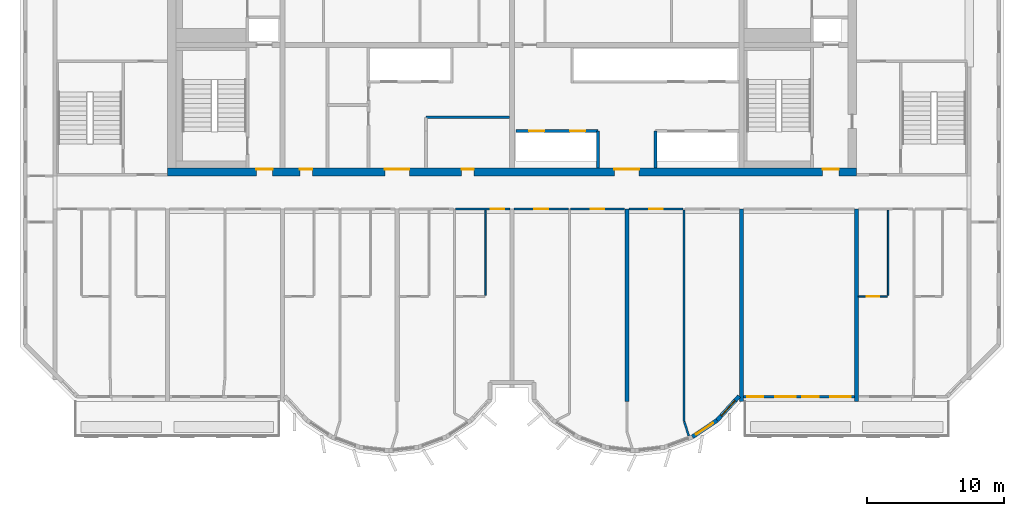
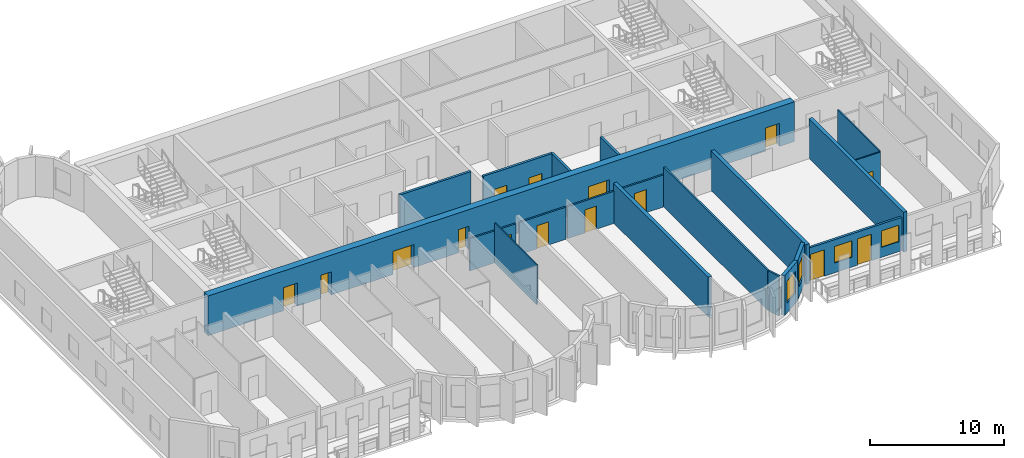
# One storey, part 5 of 12: 20 walls, 15 doors, 4 windows, 19 openings.
"""IFC4 building model written with IfcOpenShell, lengths in metres."""

from ifc_helpers import new_model, si_unit, direction, frame, frame_2d, origin, place, context, subcontext, project, spatial, rectangle, extrude, source, transform, mapped, material, layer, layer_set, type_object, element, fill, save


model = new_model("IFC4")

# Units and contexts
model_context = context("Model", 3, precision=1e-05, world=origin(), true_north=direction((0.0, 1.0)))
body_context = subcontext(model_context, "Body", "Model", "MODEL_VIEW")
ifc_project = project(units=[si_unit("LENGTHUNIT", "METRE"), si_unit("AREAUNIT", "SQUARE_METRE"), si_unit("VOLUMEUNIT", "CUBIC_METRE"), si_unit("PLANEANGLEUNIT", "RADIAN"), si_unit("MASSUNIT", "GRAM", prefix="KILO")], contexts=[model_context])

# Site, building, storey
site_placement = place(None, origin())
site = spatial("IfcSite", under=ifc_project, at=site_placement, CompositionType="ELEMENT")
building_placement = place(site_placement, origin())
building = spatial("IfcBuilding", under=site, at=building_placement, Name="Vanashikhar Sky Hotel", CompositionType="ELEMENT")
storey_placement = place(building_placement, frame((0.0, 0.0, 237.39990234375)))
storey = spatial("IfcBuildingStorey", under=building, at=storey_placement, Name="L57", CompositionType="ELEMENT", Elevation=237.39990234375)

# Wall, openings, doors
ifc_material_1 = material(Name="Concrete M60", Category="concrete")
ifc_layer_1 = layer(ifc_material_1, 0.60009765625)
ifc_layer_set_1 = layer_set([ifc_layer_1], Name="RC core shell wall 600 Concrete M60")
wall_type_1 = type_object("IfcWallType", Name="RC core shell wall 600 Concrete M60", PredefinedType="SHEAR", material=ifc_layer_set_1)
shared_shape_1 = source(origin(), body_context, "Body", "SweptSolid", [
    extrude(rectangle(XDim=50.400146484375, YDim=0.60009765625, at=frame_2d((25.2001953125, 0.0))), origin(), (0.0, 0.0, 1.0), 3.6201171875),
])
wall_1_placement = place(storey_placement, frame((25.199951171875, 22.300048828125, 0.0), z_axis=(0.0, 0.0, 1.0), x_axis=(1.0, 0.0, 0.0)))
wall_1 = element("IfcWall", 1, at=wall_1_placement, inside=storey, type_object=wall_type_1, Name="KW-L57-KS", PredefinedType="SHEAR", context=body_context, shape_type="MappedRepresentation", body=[
    mapped(shared_shape_1, transform((0.0, 0.0, 0.0), scale=1.0)),
])
shared_shape_2 = source(origin(), body_context, "Body", "SweptSolid", [
    extrude(rectangle(XDim=1.800048828125, YDim=2.10009765625, at=frame_2d((0.89990234375, 1.050048828125))), frame((0.0, 0.31005859375, 0.0), z_axis=(0.0, -1.0, 0.0), x_axis=(1.0, 0.0, 0.0)), (0.0, 0.0, 1.0), 0.6201171875),
])
opening_1_placement = place(wall_1_placement, frame((15.89990234375, 0.0, 0.0)))
opening_1 = element("IfcOpeningElement", 2, at=opening_1_placement, cuts=wall_1, Name="Opening DC-3-A", PredefinedType="OPENING", context=body_context, shape_type="MappedRepresentation", body=[
    mapped(shared_shape_2, transform((0.0, 0.0, 0.0), scale=1.0)),
])
shared_shape_3 = source(origin(), body_context, "Body", "SweptSolid", [
    extrude(rectangle(XDim=0.89990234375, YDim=2.10009765625, at=frame_2d((0.449951171875, 1.050048828125))), frame((0.0, 0.31005859375, 0.0), z_axis=(0.0, -1.0, 0.0), x_axis=(1.0, 0.0, 0.0)), (0.0, 0.0, 1.0), 0.6201171875),
])
opening_2_placement = place(wall_1_placement, frame((9.68701171875, 0.0, 0.0)))
opening_2 = element("IfcOpeningElement", 3, at=opening_2_placement, cuts=wall_1, Name="Opening DC-4-A", PredefinedType="OPENING", context=body_context, shape_type="MappedRepresentation", body=[
    mapped(shared_shape_3, transform((0.0, 0.0, 0.0), scale=1.0)),
])
opening_3_placement = place(wall_1_placement, frame((21.512939453125, 0.0, 0.0)))
opening_3 = element("IfcOpeningElement", 4, at=opening_3_placement, cuts=wall_1, Name="Opening DC-4-A", PredefinedType="OPENING", context=body_context, shape_type="MappedRepresentation", body=[
    mapped(shared_shape_3, transform((0.0, 0.0, 0.0), scale=1.0)),
])
opening_4_placement = place(wall_1_placement, frame((32.699951171875, 0.0, 0.0)))
opening_4 = element("IfcOpeningElement", 5, at=opening_4_placement, cuts=wall_1, Name="Opening DC-3-A", PredefinedType="OPENING", context=body_context, shape_type="MappedRepresentation", body=[
    mapped(shared_shape_2, transform((0.0, 0.0, 0.0), scale=1.0)),
])
shared_shape_4 = source(origin(), body_context, "Body", "SweptSolid", [
    extrude(rectangle(XDim=1.199951171875, YDim=2.10009765625, at=frame_2d((0.60009765625, 1.050048828125))), frame((0.0, 0.31005859375, 0.0), z_axis=(0.0, -1.0, 0.0), x_axis=(1.0, 0.0, 0.0)), (0.0, 0.0, 1.0), 0.6201171875),
])
opening_5_placement = place(wall_1_placement, frame((6.488037109375, 0.0, 0.0)))
opening_5 = element("IfcOpeningElement", 6, at=opening_5_placement, cuts=wall_1, Name="Opening DC-2", PredefinedType="OPENING", context=body_context, shape_type="MappedRepresentation", body=[
    mapped(shared_shape_4, transform((0.0, 0.0, 0.0), scale=1.0)),
])
opening_6_placement = place(wall_1_placement, frame((47.925048828125, 0.0, 0.0)))
opening_6 = element("IfcOpeningElement", 7, at=opening_6_placement, cuts=wall_1, Name="Opening DC-2", PredefinedType="OPENING", context=body_context, shape_type="MappedRepresentation", body=[
    mapped(shared_shape_4, transform((0.0, 0.0, 0.0), scale=1.0)),
])
ifc_material_2 = material(Name="Steel", Category="steel")
door_type_1 = type_object("IfcDoorType", Name="Firefighting lobby door 1200 FD120", OperationType="NOTDEFINED", PredefinedType="DOOR", material=ifc_material_2)
shared_shape_5 = source(origin(), body_context, "Body", "SweptSolid", [
    extrude(rectangle(XDim=1.199951171875, YDim=2.10009765625, at=frame_2d((0.60009765625, 1.050048828125))), frame((0.0, 0.22509765625, 0.0), z_axis=(0.0, -1.0, 0.0), x_axis=(1.0, 0.0, 0.0)), (0.0, 0.0, 1.0), 0.050048828125),
])
door_1_placement = place(opening_5_placement, origin())
door_1 = element("IfcDoor", 8, at=door_1_placement, inside=storey, type_object=door_type_1, Name="Firefighting lobby door 1200 FD120", OperationType="SINGLE_SWING_RIGHT", OverallHeight=2.10009765625, OverallWidth=1.199951171875, PredefinedType="DOOR", context=body_context, shape_type="MappedRepresentation", body=[
    mapped(shared_shape_5, transform((0.0, 0.0, 0.0), scale=1.0)),
])
fill(opening_5, door_1)
door_2_placement = place(opening_6_placement, origin())
door_2 = element("IfcDoor", 9, at=door_2_placement, inside=storey, type_object=door_type_1, Name="Firefighting lobby door 1200 FD120", OperationType="SINGLE_SWING_RIGHT", OverallHeight=2.10009765625, OverallWidth=1.199951171875, PredefinedType="DOOR", context=body_context, shape_type="MappedRepresentation", body=[
    mapped(shared_shape_5, transform((0.0, 0.0, 0.0), scale=1.0)),
])
fill(opening_6, door_2)
door_type_2 = type_object("IfcDoorType", Name="Service door 900 FD60", OperationType="NOTDEFINED", PredefinedType="DOOR", material=ifc_material_2)
shared_shape_6 = source(origin(), body_context, "Body", "SweptSolid", [
    extrude(rectangle(XDim=0.89990234375, YDim=2.10009765625, at=frame_2d((0.449951171875, 1.050048828125))), frame((0.0, 0.22509765625, 0.0), z_axis=(0.0, -1.0, 0.0), x_axis=(1.0, 0.0, 0.0)), (0.0, 0.0, 1.0), 0.050048828125),
])
door_3_placement = place(opening_2_placement, origin())
door_3 = element("IfcDoor", 10, at=door_3_placement, inside=storey, type_object=door_type_2, Name="Service door 900 FD60", OperationType="SINGLE_SWING_RIGHT", OverallHeight=2.10009765625, OverallWidth=0.89990234375, PredefinedType="DOOR", context=body_context, shape_type="MappedRepresentation", body=[
    mapped(shared_shape_6, transform((0.0, 0.0, 0.0), scale=1.0)),
])
fill(opening_2, door_3)
door_4_placement = place(opening_3_placement, origin())
door_4 = element("IfcDoor", 11, at=door_4_placement, inside=storey, type_object=door_type_2, Name="Service door 900 FD60", OperationType="SINGLE_SWING_RIGHT", OverallHeight=2.10009765625, OverallWidth=0.89990234375, PredefinedType="DOOR", context=body_context, shape_type="MappedRepresentation", body=[
    mapped(shared_shape_6, transform((0.0, 0.0, 0.0), scale=1.0)),
])
fill(opening_3, door_4)
ifc_material_3 = material(Name="Glass", Category="glass")
door_type_3 = type_object("IfcDoorType", Name="Lift lobby entrance door 1800 FD30S", OperationType="NOTDEFINED", PredefinedType="DOOR", material=ifc_material_3)
shared_shape_7 = source(origin(), body_context, "Body", "SweptSolid", [
    extrude(rectangle(XDim=1.800048828125, YDim=2.10009765625, at=frame_2d((0.89990234375, 1.050048828125))), frame((0.0, 0.22509765625, 0.0), z_axis=(0.0, -1.0, 0.0), x_axis=(1.0, 0.0, 0.0)), (0.0, 0.0, 1.0), 0.050048828125),
])
door_5_placement = place(opening_1_placement, origin())
door_5 = element("IfcDoor", 12, at=door_5_placement, inside=storey, type_object=door_type_3, Name="Lift lobby entrance door 1800 FD30S", OperationType="DOUBLE_DOOR_SINGLE_SWING", OverallHeight=2.10009765625, OverallWidth=1.800048828125, PredefinedType="DOOR", context=body_context, shape_type="MappedRepresentation", body=[
    mapped(shared_shape_7, transform((0.0, 0.0, 0.0), scale=1.0)),
])
fill(opening_1, door_5)
door_6_placement = place(opening_4_placement, origin())
door_6 = element("IfcDoor", 13, at=door_6_placement, inside=storey, type_object=door_type_3, Name="Lift lobby entrance door 1800 FD30S", OperationType="DOUBLE_DOOR_SINGLE_SWING", OverallHeight=2.10009765625, OverallWidth=1.800048828125, PredefinedType="DOOR", context=body_context, shape_type="MappedRepresentation", body=[
    mapped(shared_shape_7, transform((0.0, 0.0, 0.0), scale=1.0)),
])
fill(opening_4, door_6)

# Walls
ifc_layer_2 = layer(ifc_material_1, 0.300048828125)
ifc_layer_set_2 = layer_set([ifc_layer_2], Name="RC shear wall 300 Concrete M60")
wall_type_2 = type_object("IfcWallType", Name="RC shear wall 300 Concrete M60", PredefinedType="SHEAR", material=ifc_layer_set_2)
shared_shape_8 = source(origin(), body_context, "Body", "SweptSolid", [
    extrude(rectangle(XDim=14.10009765625, YDim=0.300048828125, at=frame_2d((7.050048828125, 0.0))), origin(), (0.0, 0.0, 1.0), 3.6201171875),
])
for number, where, z_axis, x_axis, name in (
    (14, (58.800048828125, 5.5, 0.0), (0.0, 0.0, 1.0), (0.0, 1.0, 0.0), "CW-L57-XW08-1"),
    (15, (67.199951171875, 5.5, 0.0), (0.0, 0.0, 1.0), (0.0, 1.0, 0.0), "CW-L57-XW09-1"),
    (16, (75.60009765625, 5.5, 0.0), (0.0, 0.0, 1.0), (0.0, 1.0, 0.0), "CW-L57-XW10-1"),
):
    element("IfcWall", number, at=place(storey_placement, frame(where, z_axis=z_axis, x_axis=x_axis)), inside=storey, type_object=wall_type_2, Name=name, PredefinedType="SHEAR", context=body_context, shape_type="MappedRepresentation", body=[
        mapped(shared_shape_8, transform((0.0, 0.0, 0.0), scale=1.0)),
    ])

# Wall, openings, windows, doors
ifc_material_4 = material(Name="Concrete M50", Category="concrete")
ifc_layer_3 = layer(ifc_material_4, 0.199951171875)
ifc_layer_set_3 = layer_set([ifc_layer_3], Name="Front window wall 200")
wall_type_3 = type_object("IfcWallType", Name="Front window wall 200", PredefinedType="SOLIDWALL", material=ifc_layer_set_3)
shared_shape_9 = source(origin(), body_context, "Body", "SweptSolid", [
    extrude(rectangle(XDim=8.099853515625, YDim=0.199951171875, at=frame_2d((4.0498046875, 0.0))), origin(), (0.0, 0.0, 1.0), 3.02001953125),
])
wall_2_placement = place(storey_placement, frame((67.35009765625, 5.85009765625, 0.0), z_axis=(0.0, 0.0, 1.0), x_axis=(1.0, 0.0, 0.0)))
wall_2 = element("IfcWall", 17, at=wall_2_placement, inside=storey, type_object=wall_type_3, Name="Front window wall", PredefinedType="SOLIDWALL", context=body_context, shape_type="MappedRepresentation", body=[
    mapped(shared_shape_9, transform((0.0, 0.0, 0.0), scale=1.0)),
])
shared_shape_10 = source(origin(), body_context, "Body", "SweptSolid", [
    extrude(rectangle(XDim=1.199951171875, YDim=2.39990234375, at=frame_2d((0.60009765625, 1.199951171875))), frame((0.0, 0.10986328125, 0.0), z_axis=(0.0, -1.0, 0.0), x_axis=(1.0, 0.0, 0.0)), (0.0, 0.0, 1.0), 0.219970703125),
])
opening_7_placement = place(wall_2_placement, frame((0.25, 0.0, 0.0)))
opening_7 = element("IfcOpeningElement", 18, at=opening_7_placement, cuts=wall_2, Name="Opening BD-03", PredefinedType="OPENING", context=body_context, shape_type="MappedRepresentation", body=[
    mapped(shared_shape_10, transform((0.0, 0.0, 0.0), scale=1.0)),
])
shared_shape_11 = source(origin(), body_context, "Body", "SweptSolid", [
    extrude(rectangle(XDim=1.5, YDim=1.5, at=frame_2d((0.75, 0.75))), frame((0.0, 0.10986328125, 0.0), z_axis=(0.0, -1.0, 0.0), x_axis=(1.0, 0.0, 0.0)), (0.0, 0.0, 1.0), 0.219970703125),
])
opening_8_placement = place(wall_2_placement, frame((2.300048828125, 0.0, 0.89990234375)))
opening_8 = element("IfcOpeningElement", 19, at=opening_8_placement, cuts=wall_2, Name="Opening WN-1", PredefinedType="OPENING", context=body_context, shape_type="MappedRepresentation", body=[
    mapped(shared_shape_11, transform((0.0, 0.0, 0.0), scale=1.0)),
])
opening_9_placement = place(wall_2_placement, frame((4.300048828125, 0.0, 0.0)))
opening_9 = element("IfcOpeningElement", 20, at=opening_9_placement, cuts=wall_2, Name="Opening BD-04", PredefinedType="OPENING", context=body_context, shape_type="MappedRepresentation", body=[
    mapped(shared_shape_10, transform((0.0, 0.0, 0.0), scale=1.0)),
])
opening_10_placement = place(wall_2_placement, frame((6.35009765625, 0.0, 0.89990234375)))
opening_10 = element("IfcOpeningElement", 21, at=opening_10_placement, cuts=wall_2, Name="Opening WN-1", PredefinedType="OPENING", context=body_context, shape_type="MappedRepresentation", body=[
    mapped(shared_shape_11, transform((0.0, 0.0, 0.0), scale=1.0)),
])
window_type_1 = type_object("IfcWindowType", Name="Window 1500 x 1500", PartitioningType="SINGLE_PANEL", PredefinedType="WINDOW", material=ifc_material_3)
shared_shape_12 = source(origin(), body_context, "Body", "SweptSolid", [
    extrude(rectangle(XDim=1.5, YDim=1.5, at=frame_2d((0.75, 0.75))), frame((0.0, 0.030029296875, 0.0), z_axis=(0.0, -1.0, 0.0), x_axis=(1.0, 0.0, 0.0)), (0.0, 0.0, 1.0), 0.06005859375),
])
window_1_placement = place(opening_8_placement, origin())
window_1 = element("IfcWindow", 22, at=window_1_placement, inside=storey, type_object=window_type_1, Name="Window WN-1", OverallHeight=1.5, OverallWidth=1.5, PartitioningType="SINGLE_PANEL", PredefinedType="WINDOW", context=body_context, shape_type="MappedRepresentation", body=[
    mapped(shared_shape_12, transform((0.0, 0.0, 0.0), scale=1.0)),
])
fill(opening_8, window_1)
window_2_placement = place(opening_10_placement, origin())
window_2 = element("IfcWindow", 23, at=window_2_placement, inside=storey, type_object=window_type_1, Name="Window WN-1", OverallHeight=1.5, OverallWidth=1.5, PartitioningType="SINGLE_PANEL", PredefinedType="WINDOW", context=body_context, shape_type="MappedRepresentation", body=[
    mapped(shared_shape_12, transform((0.0, 0.0, 0.0), scale=1.0)),
])
fill(opening_10, window_2)
ifc_material_5 = material(Name="Aluminium", Category="aluminium")
door_type_4 = type_object("IfcDoorType", Name="Balcony sliding door 1200 x 2400", OperationType="NOTDEFINED", PredefinedType="DOOR", material=ifc_material_5)
shared_shape_13 = source(origin(), body_context, "Body", "SweptSolid", [
    extrude(rectangle(XDim=1.199951171875, YDim=2.39990234375, at=frame_2d((0.60009765625, 1.199951171875))), frame((0.0, 0.02490234375, 0.0), z_axis=(0.0, -1.0, 0.0), x_axis=(1.0, 0.0, 0.0)), (0.0, 0.0, 1.0), 0.050048828125),
])
door_7_placement = place(opening_7_placement, origin())
door_7 = element("IfcDoor", 24, at=door_7_placement, inside=storey, type_object=door_type_4, Name="Balcony sliding door", OperationType="SLIDING_TO_LEFT", OverallHeight=2.39990234375, OverallWidth=1.199951171875, PredefinedType="DOOR", context=body_context, shape_type="MappedRepresentation", body=[
    mapped(shared_shape_13, transform((0.0, 0.0, 0.0), scale=1.0)),
])
fill(opening_7, door_7)
door_8_placement = place(opening_9_placement, origin())
door_8 = element("IfcDoor", 25, at=door_8_placement, inside=storey, type_object=door_type_4, Name="Balcony sliding door", OperationType="SLIDING_TO_RIGHT", OverallHeight=2.39990234375, OverallWidth=1.199951171875, PredefinedType="DOOR", context=body_context, shape_type="MappedRepresentation", body=[
    mapped(shared_shape_13, transform((0.0, 0.0, 0.0), scale=1.0)),
])
fill(opening_9, door_8)

# Wall, opening, window
ifc_layer_4 = layer(ifc_material_4, 0.300048828125)
ifc_layer_set_4 = layer_set([ifc_layer_4], Name="Lobe wall 300")
wall_type_4 = type_object("IfcWallType", Name="Lobe wall 300", PredefinedType="SOLIDWALL", material=ifc_layer_set_4)
shared_shape_14 = source(origin(), body_context, "Body", "SweptSolid", [
    extrude(rectangle(XDim=2.398193359375, YDim=0.300048828125, at=frame_2d((1.19921875, 0.0))), origin(), (0.0, 0.0, 1.0), 3.6201171875),
])
wall_3_placement = place(storey_placement, frame((65.404296875, 4.13134765625, 0.0), z_axis=(0.0, 0.0, 1.0), x_axis=(0.675374189419, 0.737475222815, 0.0)))
wall_3 = element("IfcWall", 26, at=wall_3_placement, inside=storey, type_object=wall_type_4, Name="Lobe wall", PredefinedType="SOLIDWALL", context=body_context, shape_type="MappedRepresentation", body=[
    mapped(shared_shape_14, transform((0.0, 0.0, 0.0), scale=1.0)),
])
shared_shape_15 = source(origin(), body_context, "Body", "SweptSolid", [
    extrude(rectangle(XDim=1.5, YDim=2.0, at=frame_2d((0.75, 1.0))), frame((0.0, 0.16015625, 0.0), z_axis=(0.0, -1.0, 0.0), x_axis=(1.0, 0.0, 0.0)), (0.0, 0.0, 1.0), 0.320068359375),
])
opening_11_placement = place(wall_3_placement, frame((0.44921875, 0.0, 0.89990234375)))
opening_11 = element("IfcOpeningElement", 27, at=opening_11_placement, cuts=wall_3, Name="Opening WN-2", PredefinedType="OPENING", context=body_context, shape_type="MappedRepresentation", body=[
    mapped(shared_shape_15, transform((0.0, 0.0, 0.0), scale=1.0)),
])
window_type_2 = type_object("IfcWindowType", Name="Lobe window 1500 x 2000", PartitioningType="SINGLE_PANEL", PredefinedType="WINDOW", material=ifc_material_3)
shared_shape_16 = source(origin(), body_context, "Body", "SweptSolid", [
    extrude(rectangle(XDim=1.5, YDim=2.0, at=frame_2d((0.75, 1.0))), frame((0.0, 0.030029296875, 0.0), z_axis=(0.0, -1.0, 0.0), x_axis=(1.0, 0.0, 0.0)), (0.0, 0.0, 1.0), 0.06005859375),
])
window_3_placement = place(opening_11_placement, origin())
window_3 = element("IfcWindow", 28, at=window_3_placement, inside=storey, type_object=window_type_2, Name="Window WN-2", OverallHeight=2.0, OverallWidth=1.5, PartitioningType="SINGLE_PANEL", PredefinedType="WINDOW", context=body_context, shape_type="MappedRepresentation", body=[
    mapped(shared_shape_16, transform((0.0, 0.0, 0.0), scale=1.0)),
])
fill(opening_11, window_3)

shared_shape_17 = source(origin(), body_context, "Body", "SweptSolid", [
    extrude(rectangle(XDim=2.17578125, YDim=0.300048828125, at=frame_2d((1.087890625, 0.0))), origin(), (0.0, 0.0, 1.0), 3.6201171875),
])
wall_4_placement = place(storey_placement, frame((63.59912109375, 2.91650390625, 0.0), z_axis=(0.0, 0.0, 1.0), x_axis=(0.829625727223, 0.558319937607, 0.0)))
wall_4 = element("IfcWall", 29, at=wall_4_placement, inside=storey, type_object=wall_type_4, Name="Lobe wall", PredefinedType="SOLIDWALL", context=body_context, shape_type="MappedRepresentation", body=[
    mapped(shared_shape_17, transform((0.0, 0.0, 0.0), scale=1.0)),
])
opening_12_placement = place(wall_4_placement, frame((0.337890625, 0.0, 0.89990234375)))
opening_12 = element("IfcOpeningElement", 30, at=opening_12_placement, cuts=wall_4, Name="Opening WN-2", PredefinedType="OPENING", context=body_context, shape_type="MappedRepresentation", body=[
    mapped(shared_shape_15, transform((0.0, 0.0, 0.0), scale=1.0)),
])
window_4_placement = place(opening_12_placement, origin())
window_4 = element("IfcWindow", 31, at=window_4_placement, inside=storey, type_object=window_type_2, Name="Window WN-2", OverallHeight=2.0, OverallWidth=1.5, PartitioningType="SINGLE_PANEL", PredefinedType="WINDOW", context=body_context, shape_type="MappedRepresentation", body=[
    mapped(shared_shape_16, transform((0.0, 0.0, 0.0), scale=1.0)),
])
fill(opening_12, window_4)

# Wall, openings, doors
ifc_material_6 = material(Name="Concrete M40", Category="concrete")
ifc_layer_5 = layer(ifc_material_6, 0.199951171875)
ifc_layer_set_5 = layer_set([ifc_layer_5], Name="Shaft wall 200")
wall_type_5 = type_object("IfcWallType", Name="Shaft wall 200", PredefinedType="SOLIDWALL", material=ifc_layer_set_5)
shared_shape_18 = source(origin(), body_context, "Body", "SweptSolid", [
    extrude(rectangle(XDim=6.0, YDim=0.199951171875, at=frame_2d((3.0, 0.0))), origin(), (0.0, 0.0, 1.0), 3.6201171875),
])
wall_5_placement = place(storey_placement, frame((56.699951171875, 25.300048828125, 0.0), z_axis=(0.0, 0.0, 1.0), x_axis=(-1.0, 0.0, 0.0)))
wall_5 = element("IfcWall", 32, at=wall_5_placement, inside=storey, type_object=wall_type_5, Name="Shaft wall 200", PredefinedType="SOLIDWALL", context=body_context, shape_type="MappedRepresentation", body=[
    mapped(shared_shape_18, transform((0.0, 0.0, 0.0), scale=1.0)),
])
shared_shape_19 = source(origin(), body_context, "Body", "SweptSolid", [
    extrude(rectangle(XDim=1.10009765625, YDim=2.10009765625, at=frame_2d((0.550048828125, 1.050048828125))), frame((0.0, 0.10986328125, 0.0), z_axis=(0.0, -1.0, 0.0), x_axis=(1.0, 0.0, 0.0)), (0.0, 0.0, 1.0), 0.219970703125),
])
opening_13_placement = place(wall_5_placement, frame((0.949951171875, 0.0, 0.0)))
opening_13 = element("IfcOpeningElement", 33, at=opening_13_placement, cuts=wall_5, Name="Opening LD", PredefinedType="OPENING", context=body_context, shape_type="MappedRepresentation", body=[
    mapped(shared_shape_19, transform((0.0, 0.0, 0.0), scale=1.0)),
])
opening_14_placement = place(wall_5_placement, frame((3.949951171875, 0.0, 0.0)))
opening_14 = element("IfcOpeningElement", 34, at=opening_14_placement, cuts=wall_5, Name="Opening LD", PredefinedType="OPENING", context=body_context, shape_type="MappedRepresentation", body=[
    mapped(shared_shape_19, transform((0.0, 0.0, 0.0), scale=1.0)),
])
ifc_material_7 = material(Name="Stainless steel", Category="steel")
door_type_5 = type_object("IfcDoorType", Name="Lift landing door 1100", OperationType="NOTDEFINED", PredefinedType="DOOR", material=ifc_material_7)
shared_shape_20 = source(origin(), body_context, "Body", "SweptSolid", [
    extrude(rectangle(XDim=1.10009765625, YDim=2.10009765625, at=frame_2d((0.550048828125, 1.050048828125))), frame((0.0, 0.02490234375, 0.0), z_axis=(0.0, -1.0, 0.0), x_axis=(1.0, 0.0, 0.0)), (0.0, 0.0, 1.0), 0.050048828125),
])
door_9_placement = place(opening_13_placement, origin())
door_9 = element("IfcDoor", 35, at=door_9_placement, inside=storey, type_object=door_type_5, Name="Lift landing door 1100", OperationType="SLIDING_TO_RIGHT", OverallHeight=2.10009765625, OverallWidth=1.10009765625, PredefinedType="DOOR", context=body_context, shape_type="MappedRepresentation", body=[
    mapped(shared_shape_20, transform((0.0, 0.0, 0.0), scale=1.0)),
])
fill(opening_13, door_9)
door_10_placement = place(opening_14_placement, origin())
door_10 = element("IfcDoor", 36, at=door_10_placement, inside=storey, type_object=door_type_5, Name="Lift landing door 1100", OperationType="SLIDING_TO_LEFT", OverallHeight=2.10009765625, OverallWidth=1.10009765625, PredefinedType="DOOR", context=body_context, shape_type="MappedRepresentation", body=[
    mapped(shared_shape_20, transform((0.0, 0.0, 0.0), scale=1.0)),
])
fill(opening_14, door_10)

# Walls
shared_shape_21 = source(origin(), body_context, "Body", "SweptSolid", [
    extrude(rectangle(XDim=2.699951171875, YDim=0.199951171875, at=frame_2d((1.35009765625, 0.0))), origin(), (0.0, 0.0, 1.0), 3.6201171875),
])
for number, where, z_axis, x_axis, name in (
    (37, (60.89990234375, 22.60009765625, 0.0), (0.0, 0.0, 1.0), (0.0, 1.0, 0.0), "Shaft wall 200"),
    (38, (56.699951171875, 22.60009765625, 0.0), (0.0, 0.0, 1.0), (0.0, 1.0, 0.0), "Shaft wall 200"),
):
    element("IfcWall", number, at=place(storey_placement, frame(where, z_axis=z_axis, x_axis=x_axis)), inside=storey, type_object=wall_type_5, Name=name, PredefinedType="SOLIDWALL", context=body_context, shape_type="MappedRepresentation", body=[
        mapped(shared_shape_21, transform((0.0, 0.0, 0.0), scale=1.0)),
    ])
ifc_material_8 = material(Name="Gypsum board partition")
ifc_layer_6 = layer(ifc_material_8, 0.14990234375)
ifc_layer_set_6 = layer_set([ifc_layer_6], Name="Service partition 150")
wall_type_6 = type_object("IfcWallType", Name="Service partition 150", PredefinedType="PARTITIONING", material=ifc_layer_set_6)
shared_shape_22 = source(origin(), body_context, "Body", "SweptSolid", [
    extrude(rectangle(XDim=6.125, YDim=0.199951171875, at=frame_2d((3.0625, 0.0))), origin(), (0.0, 0.0, 1.0), 3.6201171875),
])
wall_6_placement = place(storey_placement, frame((44.10009765625, 26.300048828125, 0.0), z_axis=(0.0, 0.0, 1.0), x_axis=(1.0, 0.0, 0.0)))
element("IfcWall", 39, at=wall_6_placement, inside=storey, type_object=wall_type_6, Name="Service partition 150", PredefinedType="PARTITIONING", context=body_context, shape_type="MappedRepresentation", body=[
    mapped(shared_shape_22, transform((0.0, 0.0, 0.0), scale=1.0)),
])

# Wall, opening, door
ifc_material_9 = material(Name="Gypsum plasterboard partition")
ifc_layer_7 = layer(ifc_material_9, 0.10009765625)
ifc_layer_set_7 = layer_set([ifc_layer_7], Name="Wet room partition 100")
wall_type_7 = type_object("IfcWallType", Name="Wet room partition 100", PredefinedType="PARTITIONING", material=ifc_layer_set_7)
shared_shape_23 = source(origin(), body_context, "Body", "SweptSolid", [
    extrude(rectangle(XDim=2.125, YDim=0.10009765625, at=frame_2d((1.0625, 0.0))), origin(), (0.0, 0.0, 1.0), 3.6201171875),
])
wall_7_placement = place(storey_placement, frame((75.75, 13.199951171875, 0.0), z_axis=(0.0, 0.0, 1.0), x_axis=(1.0, 0.0, 0.0)))
wall_7 = element("IfcWall", 40, at=wall_7_placement, inside=storey, type_object=wall_type_7, Name="W-L57-PW033", PredefinedType="PARTITIONING", context=body_context, shape_type="MappedRepresentation", body=[
    mapped(shared_shape_23, transform((0.0, 0.0, 0.0), scale=1.0)),
])
shared_shape_24 = source(origin(), body_context, "Body", "SweptSolid", [
    extrude(rectangle(XDim=0.89990234375, YDim=2.10009765625, at=frame_2d((0.449951171875, 1.050048828125))), frame((0.0, 0.06005859375, 0.0), z_axis=(0.0, -1.0, 0.0), x_axis=(1.0, 0.0, 0.0)), (0.0, 0.0, 1.0), 0.1201171875),
])
opening_15_placement = place(wall_7_placement, frame((0.612060546875, 0.0, 0.0)))
opening_15 = element("IfcOpeningElement", 41, at=opening_15_placement, cuts=wall_7, Name="Opening D-02", PredefinedType="OPENING", context=body_context, shape_type="MappedRepresentation", body=[
    mapped(shared_shape_24, transform((0.0, 0.0, 0.0), scale=1.0)),
])
ifc_material_10 = material(Name="Timber door", Category="wood")
door_type_6 = type_object("IfcDoorType", Name="Internal door 900", OperationType="NOTDEFINED", PredefinedType="DOOR", material=ifc_material_10)
shared_shape_25 = source(origin(), body_context, "Body", "SweptSolid", [
    extrude(rectangle(XDim=0.89990234375, YDim=2.10009765625, at=frame_2d((0.449951171875, 1.050048828125))), frame((0.0, 0.02490234375, 0.0), z_axis=(0.0, -1.0, 0.0), x_axis=(1.0, 0.0, 0.0)), (0.0, 0.0, 1.0), 0.050048828125),
])
door_11_placement = place(opening_15_placement, origin())
door_11 = element("IfcDoor", 42, at=door_11_placement, inside=storey, type_object=door_type_6, Name="D-L57-020", OperationType="SINGLE_SWING_RIGHT", OverallHeight=2.10009765625, OverallWidth=0.89990234375, PredefinedType="DOOR", context=body_context, shape_type="MappedRepresentation", body=[
    mapped(shared_shape_25, transform((0.0, 0.0, 0.0), scale=1.0)),
])
fill(opening_15, door_11)

# Walls
ifc_layer_8 = layer(ifc_material_9, 0.14990234375)
ifc_layer_set_8 = layer_set([ifc_layer_8], Name="Corridor and demising partition 150")
wall_type_8 = type_object("IfcWallType", Name="Corridor and demising partition 150", PredefinedType="PARTITIONING", material=ifc_layer_set_8)
shared_shape_26 = source(origin(), body_context, "Body", "SweptSolid", [
    extrude(rectangle(XDim=15.497802734375, YDim=0.14990234375, at=frame_2d((7.7490234375, 0.0))), origin(), (0.0, 0.0, 1.0), 3.6201171875),
])
wall_8_placement = place(storey_placement, frame((63.0, 4.027099609375, 0.0), z_axis=(0.0, 0.0, 1.0), x_axis=(0.0, 1.0, 0.0)))
element("IfcWall", 43, at=wall_8_placement, inside=storey, type_object=wall_type_8, Name="W-L57-PW030", PredefinedType="PARTITIONING", context=body_context, shape_type="MappedRepresentation", body=[
    mapped(shared_shape_26, transform((0.0, 0.0, 0.0), scale=1.0)),
])
shared_shape_27 = source(origin(), body_context, "Body", "SweptSolid", [
    extrude(rectangle(XDim=1.100830078125, YDim=0.14990234375, at=frame_2d((0.55029296875, 0.0))), origin(), (0.0, 0.0, 1.0), 3.6201171875),
])
wall_9_placement = place(storey_placement, frame((63.343017578125, 2.98095703125, 0.0), z_axis=(0.0, 0.0, 1.0), x_axis=(-0.311567081539, 0.950224159712, 0.0)))
element("IfcWall", 44, at=wall_9_placement, inside=storey, type_object=wall_type_8, Name="W-L57-PW030B0", PredefinedType="PARTITIONING", context=body_context, shape_type="MappedRepresentation", body=[
    mapped(shared_shape_27, transform((0.0, 0.0, 0.0), scale=1.0)),
])

# Wall, opening, door
shared_shape_28 = source(origin(), body_context, "Body", "SweptSolid", [
    extrude(rectangle(XDim=3.97509765625, YDim=0.14990234375, at=frame_2d((1.987548828125, 0.0))), origin(), (0.0, 0.0, 1.0), 2.920166015625),
])
wall_10_placement = place(storey_placement, frame((46.27490234375, 19.60009765625, 0.0), z_axis=(0.0, 0.0, 1.0), x_axis=(1.0, 0.0, 0.0)))
wall_10 = element("IfcWall", 45, at=wall_10_placement, inside=storey, type_object=wall_type_8, Name="W-L57-PW023", PredefinedType="PARTITIONING", context=body_context, shape_type="MappedRepresentation", body=[
    mapped(shared_shape_28, transform((0.0, 0.0, 0.0), scale=1.0)),
])
shared_shape_29 = source(origin(), body_context, "Body", "SweptSolid", [
    extrude(rectangle(XDim=1.0, YDim=2.10009765625, at=frame_2d((0.5, 1.050048828125))), frame((0.0, 0.0849609375, 0.0), z_axis=(0.0, -1.0, 0.0), x_axis=(1.0, 0.0, 0.0)), (0.0, 0.0, 1.0), 0.169921875),
])
opening_16_placement = place(wall_10_placement, frame((2.574951171875, 0.0, 0.0)))
opening_16 = element("IfcOpeningElement", 46, at=opening_16_placement, cuts=wall_10, Name="Opening D-01", PredefinedType="OPENING", context=body_context, shape_type="MappedRepresentation", body=[
    mapped(shared_shape_29, transform((0.0, 0.0, 0.0), scale=1.0)),
])
ifc_material_11 = material(Name="Timber fire door", Category="wood")
door_type_7 = type_object("IfcDoorType", Name="Guest entry door 1000 FD30S", OperationType="NOTDEFINED", PredefinedType="DOOR", material=ifc_material_11)
shared_shape_30 = source(origin(), body_context, "Body", "SweptSolid", [
    extrude(rectangle(XDim=1.0, YDim=2.10009765625, at=frame_2d((0.5, 1.050048828125))), frame((0.0, 0.02490234375, 0.0), z_axis=(0.0, -1.0, 0.0), x_axis=(1.0, 0.0, 0.0)), (0.0, 0.0, 1.0), 0.050048828125),
])
door_12_placement = place(opening_16_placement, origin())
door_12 = element("IfcDoor", 47, at=door_12_placement, inside=storey, type_object=door_type_7, Name="D-L57-014", OperationType="SINGLE_SWING_RIGHT", OverallHeight=2.10009765625, OverallWidth=1.0, PredefinedType="DOOR", context=body_context, shape_type="MappedRepresentation", body=[
    mapped(shared_shape_30, transform((0.0, 0.0, 0.0), scale=1.0)),
])
fill(opening_16, door_12)

wall_11_placement = place(storey_placement, frame((58.949951171875, 19.60009765625, 0.0), z_axis=(0.0, 0.0, 1.0), x_axis=(1.0, 0.0, 0.0)))
wall_11 = element("IfcWall", 48, at=wall_11_placement, inside=storey, type_object=wall_type_8, Name="W-L57-PW028", PredefinedType="PARTITIONING", context=body_context, shape_type="MappedRepresentation", body=[
    mapped(shared_shape_28, transform((0.0, 0.0, 0.0), scale=1.0)),
])
opening_17_placement = place(wall_11_placement, frame((1.487060546875, 0.0, 0.0)))
opening_17 = element("IfcOpeningElement", 49, at=opening_17_placement, cuts=wall_11, Name="Opening D-01", PredefinedType="OPENING", context=body_context, shape_type="MappedRepresentation", body=[
    mapped(shared_shape_29, transform((0.0, 0.0, 0.0), scale=1.0)),
])
door_13_placement = place(opening_17_placement, origin())
door_13 = element("IfcDoor", 50, at=door_13_placement, inside=storey, type_object=door_type_7, Name="D-L57-017", OperationType="SINGLE_SWING_LEFT", OverallHeight=2.10009765625, OverallWidth=1.0, PredefinedType="DOOR", context=body_context, shape_type="MappedRepresentation", body=[
    mapped(shared_shape_30, transform((0.0, 0.0, 0.0), scale=1.0)),
])
fill(opening_17, door_13)

shared_shape_31 = source(origin(), body_context, "Body", "SweptSolid", [
    extrude(rectangle(XDim=3.974853515625, YDim=0.14990234375, at=frame_2d((1.9873046875, 0.0))), origin(), (0.0, 0.0, 1.0), 2.920166015625),
])
wall_12_placement = place(storey_placement, frame((50.550048828125, 19.60009765625, 0.0), z_axis=(0.0, 0.0, 1.0), x_axis=(1.0, 0.0, 0.0)))
wall_12 = element("IfcWall", 51, at=wall_12_placement, inside=storey, type_object=wall_type_8, Name="W-L57-PW025", PredefinedType="PARTITIONING", context=body_context, shape_type="MappedRepresentation", body=[
    mapped(shared_shape_31, transform((0.0, 0.0, 0.0), scale=1.0)),
])
opening_18_placement = place(wall_12_placement, frame((1.487060546875, 0.0, 0.0)))
opening_18 = element("IfcOpeningElement", 52, at=opening_18_placement, cuts=wall_12, Name="Opening D-01", PredefinedType="OPENING", context=body_context, shape_type="MappedRepresentation", body=[
    mapped(shared_shape_29, transform((0.0, 0.0, 0.0), scale=1.0)),
])
door_14_placement = place(opening_18_placement, origin())
door_14 = element("IfcDoor", 53, at=door_14_placement, inside=storey, type_object=door_type_7, Name="D-L57-015", OperationType="SINGLE_SWING_LEFT", OverallHeight=2.10009765625, OverallWidth=1.0, PredefinedType="DOOR", context=body_context, shape_type="MappedRepresentation", body=[
    mapped(shared_shape_30, transform((0.0, 0.0, 0.0), scale=1.0)),
])
fill(opening_18, door_14)

wall_13_placement = place(storey_placement, frame((54.675048828125, 19.60009765625, 0.0), z_axis=(0.0, 0.0, 1.0), x_axis=(1.0, 0.0, 0.0)))
wall_13 = element("IfcWall", 54, at=wall_13_placement, inside=storey, type_object=wall_type_8, Name="W-L57-PW026", PredefinedType="PARTITIONING", context=body_context, shape_type="MappedRepresentation", body=[
    mapped(shared_shape_31, transform((0.0, 0.0, 0.0), scale=1.0)),
])
opening_19_placement = place(wall_13_placement, frame((1.488037109375, 0.0, 0.0)))
opening_19 = element("IfcOpeningElement", 55, at=opening_19_placement, cuts=wall_13, Name="Opening D-01", PredefinedType="OPENING", context=body_context, shape_type="MappedRepresentation", body=[
    mapped(shared_shape_29, transform((0.0, 0.0, 0.0), scale=1.0)),
])
door_15_placement = place(opening_19_placement, origin())
door_15 = element("IfcDoor", 56, at=door_15_placement, inside=storey, type_object=door_type_7, Name="D-L57-016", OperationType="SINGLE_SWING_RIGHT", OverallHeight=2.10009765625, OverallWidth=1.0, PredefinedType="DOOR", context=body_context, shape_type="MappedRepresentation", body=[
    mapped(shared_shape_30, transform((0.0, 0.0, 0.0), scale=1.0)),
])
fill(opening_19, door_15)

# Walls
shared_shape_32 = source(origin(), body_context, "Body", "SweptSolid", [
    extrude(rectangle(XDim=6.25, YDim=0.10009765625, at=frame_2d((3.125, 0.0))), origin(), (0.0, 0.0, 1.0), 3.6201171875),
])
for number, where, z_axis, x_axis, name in (
    (57, (48.449951171875, 13.27490234375, 0.0), (0.0, 0.0, 1.0), (0.0, 1.0, 0.0), "W-L57-PW021"),
    (58, (77.925048828125, 13.27490234375, 0.0), (0.0, 0.0, 1.0), (0.0, 1.0, 0.0), "W-L57-PW032"),
):
    element("IfcWall", number, at=place(storey_placement, frame(where, z_axis=z_axis, x_axis=x_axis)), inside=storey, type_object=wall_type_7, Name=name, PredefinedType="PARTITIONING", context=body_context, shape_type="MappedRepresentation", body=[
        mapped(shared_shape_32, transform((0.0, 0.0, 0.0), scale=1.0)),
    ])

save(model, "model.ifc")
